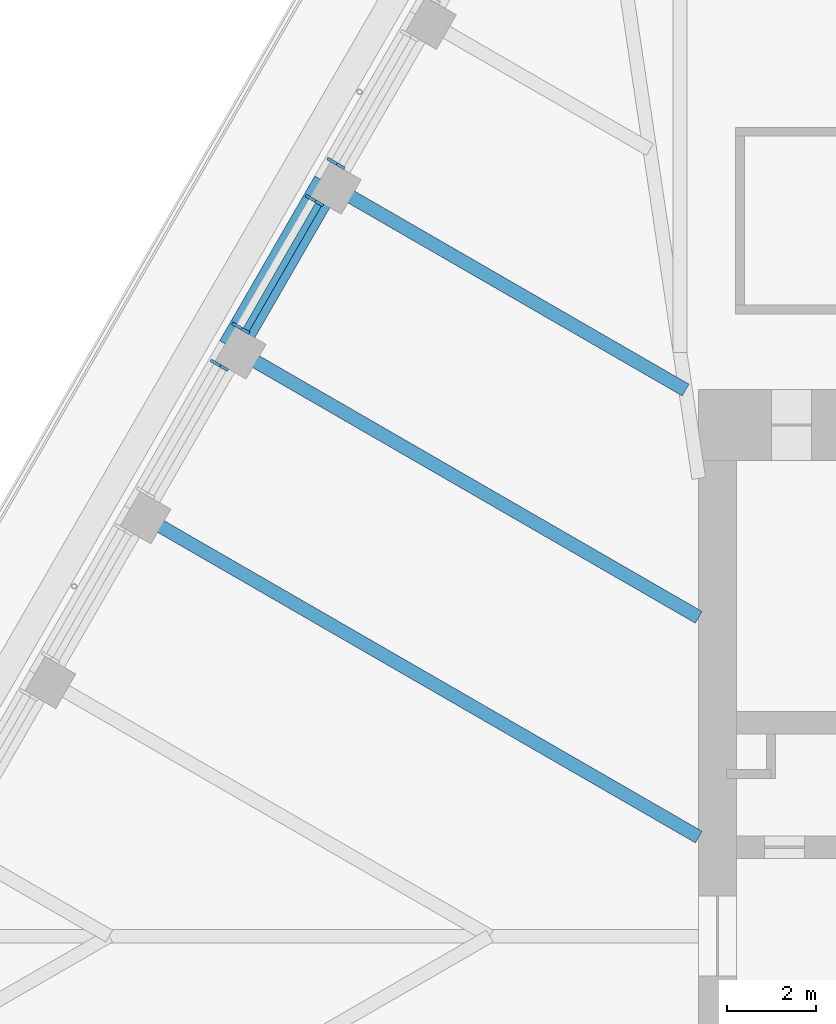
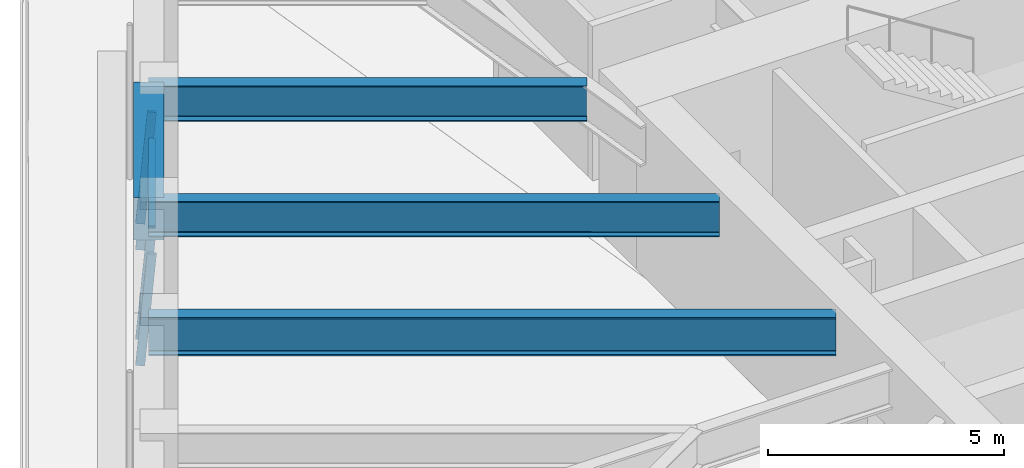
# One storey, part 7 of 19: 5 members, 4 beams, 3 elements without a shape of their own.
"""IFC4 building model written with IfcOpenShell, lengths in metres."""

from ifc_helpers import new_model, si_unit, direction, frame, origin, origin_2d, place, context, subcontext, project, spatial, rectangle, i_section, extrude, material, material_profile, profile_set, type_object, element, aggregate, save


model = new_model("IFC4")

# Units and contexts
model_context = context("Model", 3, precision=1e-05, world=origin(), true_north=direction((0.0, 1.0)))
body_context = subcontext(model_context, "Body", "Model", "MODEL_VIEW")
ifc_project = project(units=[si_unit("LENGTHUNIT", "METRE"), si_unit("AREAUNIT", "SQUARE_METRE"), si_unit("VOLUMEUNIT", "CUBIC_METRE"), si_unit("PLANEANGLEUNIT", "RADIAN"), si_unit("MASSUNIT", "GRAM", prefix="KILO")], contexts=[model_context])

# Site, building, storey
site_placement = place(None, origin())
site = spatial("IfcSite", under=ifc_project, at=site_placement, CompositionType="ELEMENT")
building_placement = place(site_placement, origin())
building = spatial("IfcBuilding", under=site, at=building_placement, Name="Tarfa Lantern Tower", CompositionType="ELEMENT")
storey_placement = place(building_placement, frame((0.0, 0.0, 366.10009765625)))
storey = spatial("IfcBuildingStorey", under=building, at=storey_placement, Name="L83", CompositionType="ELEMENT", Elevation=366.10009765625)

# Curtain wall, member
ifc_material_1 = material(Name="Aluminium framed curtain wall", Category="aluminium")
curtain_wall_type = type_object("IfcCurtainWallType", Name="CW4 CANTED GLAZING EXECUTIVE ZONE 2900", PredefinedType="USERDEFINED", material=ifc_material_1)
curtain_wall_1_placement = place(storey_placement, origin())
curtain_wall_1 = element("IfcCurtainWall", 1, at=curtain_wall_1_placement, inside=storey, type_object=curtain_wall_type, Name="CW4 NW L83", ObjectType="CURTAIN WALL", PredefinedType="USERDEFINED")
ifc_material_2 = material(Name="Aluminium mullion", Category="aluminium")
ifc_material_profile_1 = material_profile(ifc_material_2, rectangle(XDim=0.06494140625, YDim=0.199951171875, at=origin_2d()), Name="AL MULLION 65x200")
ifc_profile_set_1 = profile_set([ifc_material_profile_1], Name="Aluminium mullion")
member_type_1 = type_object("IfcMemberType", Name="CWM1 MULLION 65x200", PredefinedType="MULLION", material=ifc_profile_set_1)
member_1_placement = place(storey_placement, frame((-20.697265625, 17.451171875, 0.0), z_axis=(0.074399820079, -0.042945555672, 0.996303340364), x_axis=(0.499919672301, 0.866071776036, 0.0)))
member_1 = element("IfcMember", 2, at=member_1_placement, type_object=member_type_1, Name="CW4 mullion 2", PredefinedType="MULLION", context=body_context, shape_type="SweptSolid", body=[
    extrude(rectangle(XDim=0.06494140625, YDim=0.199951171875, at=origin_2d()), origin(), (0.0, 0.0, 1.0), 2.91064453125),
])
aggregate(curtain_wall_1, [member_1])

# Curtain wall, members
curtain_wall_2_placement = place(storey_placement, origin())
curtain_wall_2 = element("IfcCurtainWall", 3, at=curtain_wall_2_placement, inside=storey, type_object=curtain_wall_type, Name="CW4 NW L83", ObjectType="CURTAIN WALL", PredefinedType="USERDEFINED")
member_2_placement = place(storey_placement, frame((-21.179931640625, 16.615478515625, 0.0), z_axis=(0.074399820079, -0.042945555672, 0.996303340364), x_axis=(0.499919672301, 0.866071776036, 0.0)))
member_2 = element("IfcMember", 4, at=member_2_placement, type_object=member_type_1, Name="CW4 mullion 1", PredefinedType="MULLION", context=body_context, shape_type="SweptSolid", body=[
    extrude(rectangle(XDim=0.06494140625, YDim=0.199951171875, at=origin_2d()), origin(), (0.0, 0.0, 1.0), 2.91064453125),
])
member_3_placement = place(storey_placement, frame((-22.83837890625, 13.742919921875, 0.0), z_axis=(0.074399820079, -0.042945555672, 0.996303340364), x_axis=(0.499919672301, 0.866071776036, 0.0)))
member_3 = element("IfcMember", 5, at=member_3_placement, type_object=member_type_1, Name="CW4 mullion 2", PredefinedType="MULLION", context=body_context, shape_type="SweptSolid", body=[
    extrude(rectangle(XDim=0.06494140625, YDim=0.199951171875, at=origin_2d()), origin(), (0.0, 0.0, 1.0), 2.91064453125),
])

# Curtain wall, member
curtain_wall_3_placement = place(storey_placement, origin())
curtain_wall_3 = element("IfcCurtainWall", 6, at=curtain_wall_3_placement, inside=storey, type_object=curtain_wall_type, Name="CW4 NW L83", ObjectType="CURTAIN WALL", PredefinedType="USERDEFINED")
member_4_placement = place(storey_placement, frame((-23.32080078125, 12.9072265625, 0.0), z_axis=(0.074399820079, -0.042945555672, 0.996303340364), x_axis=(0.499919672301, 0.866071776036, 0.0)))
member_4 = element("IfcMember", 7, at=member_4_placement, type_object=member_type_1, Name="CW4 mullion 1", PredefinedType="MULLION", context=body_context, shape_type="SweptSolid", body=[
    extrude(rectangle(XDim=0.06494140625, YDim=0.199951171875, at=origin_2d()), origin(), (0.0, 0.0, 1.0), 2.91064453125),
])
aggregate(curtain_wall_3, [member_4])

# Member
ifc_material_3 = material(Name="Aluminium transom", Category="aluminium")
ifc_material_profile_2 = material_profile(ifc_material_3, rectangle(XDim=0.14990234375, YDim=0.06494140625, at=origin_2d()), Name="AL TRANSOM 150x65")
ifc_profile_set_2 = profile_set([ifc_material_profile_2], Name="Aluminium transom")
member_type_2 = type_object("IfcMemberType", Name="CWT1 TRANSOM 150x65", PredefinedType="USERDEFINED", material=ifc_profile_set_2)
member_5_placement = place(storey_placement, frame((-20.98193359375, 16.463623046875, 2.867431640625), z_axis=(-0.500014901547, -0.866016800201, 0.0), x_axis=(0.866016800201, -0.500014901547, 0.0)))
member_5 = element("IfcMember", 8, at=member_5_placement, type_object=member_type_2, Name="CW4 transom 1.2", ObjectType="TRANSOM", PredefinedType="USERDEFINED", context=body_context, shape_type="SweptSolid", body=[
    extrude(rectangle(XDim=0.14990234375, YDim=0.06494140625, at=origin_2d()), origin(), (0.0, 0.0, 1.0), 3.251953125),
])

aggregate(curtain_wall_2, [member_2, member_3, member_5])

# Beams
ifc_material_4 = material(Name="Concrete C80/95", Category="concrete")
ifc_material_profile_3 = material_profile(ifc_material_4, rectangle(XDim=0.64990234375, YDim=1.10009765625, at=origin_2d()), Name="RC 650x1100")
ifc_profile_set_3 = profile_set([ifc_material_profile_3], Name="Concrete C80/95")
beam_type_1 = type_object("IfcBeamType", Name="EB4 RC 650x1100", PredefinedType="SPANDREL", material=ifc_profile_set_3)
beam_1_placement = place(storey_placement, frame((-20.78271484375, 16.943359375, 3.449951171875), z_axis=(-0.499984039138, -0.866034618596, 0.0), x_axis=(0.866034618596, -0.499984039138, 0.0)))
element("IfcBeam", 9, at=beam_1_placement, inside=storey, type_object=beam_type_1, Name="Edge beam NW2", PredefinedType="SPANDREL", context=body_context, shape_type="SweptSolid", body=[
    extrude(rectangle(XDim=0.64990234375, YDim=1.10009765625, at=origin_2d()), origin(), (0.0, 0.0, 1.0), 4.281982421875),
])
ifc_material_5 = material(Name="Steel S460M", Category="steel")
ifc_material_profile_4 = material_profile(ifc_material_5, i_section(OverallWidth=0.302001953125, OverallDepth=1.008056640625, WebThickness=0.02099609375, FlangeThickness=0.0400390625, FilletRadius=0.030029296875, at=origin_2d()), Name="UB1016x305x349")
ifc_profile_set_4 = profile_set([ifc_material_profile_4], Name="Steel S460M")
beam_type_2 = type_object("IfcBeamType", Name="UB1016x305x349", PredefinedType="BEAM", material=ifc_profile_set_4)
beam_2_placement = place(storey_placement, frame((-25.064697265625, 9.526611328125, 3.495849609375), z_axis=(0.866029591389, -0.499992746786, 0.0), x_axis=(0.499992746786, 0.866029591389, 0.0)))
element("IfcBeam", 10, at=beam_2_placement, inside=storey, type_object=beam_type_2, Name="Floor beam NW4", PredefinedType="BEAM", context=body_context, shape_type="SweptSolid", body=[
    extrude(i_section(OverallWidth=0.302001953125, OverallDepth=1.008056640625, WebThickness=0.02099609375, FlangeThickness=0.0400390625, FilletRadius=0.030029296875, at=origin_2d()), origin(), (0.0, 0.0, 1.0), 14.594970703125),
])
ifc_material_profile_5 = material_profile(ifc_material_5, i_section(OverallWidth=0.305419921875, OverallDepth=0.91845703125, WebThickness=0.017333984375, FlangeThickness=0.02783203125, FilletRadius=0.01904296875, at=origin_2d()), Name="UB914x305x253")
ifc_profile_set_5 = profile_set([ifc_material_profile_5], Name="Steel S460M")
beam_type_3 = type_object("IfcBeamType", Name="UB914x305x253", PredefinedType="BEAM", material=ifc_profile_set_5)
beam_3_placement = place(storey_placement, frame((-20.78271484375, 16.943359375, 3.540771484375), z_axis=(0.866021806508, -0.500006230613, 0.0), x_axis=(0.500006230613, 0.866021806508, 0.0)))
element("IfcBeam", 11, at=beam_3_placement, inside=storey, type_object=beam_type_3, Name="Floor beam NW2", PredefinedType="BEAM", context=body_context, shape_type="SweptSolid", body=[
    extrude(i_section(OverallWidth=0.305419921875, OverallDepth=0.91845703125, WebThickness=0.017333984375, FlangeThickness=0.02783203125, FilletRadius=0.01904296875, at=origin_2d()), origin(), (0.0, 0.0, 1.0), 9.30908203125),
])
beam_4_placement = place(storey_placement, frame((-22.923583984375, 13.235107421875, 3.540771484375), z_axis=(0.86601856927, -0.500011837539, 0.0), x_axis=(0.500011837539, 0.86601856927, 0.0)))
element("IfcBeam", 12, at=beam_4_placement, inside=storey, type_object=beam_type_3, Name="Floor beam NW3", PredefinedType="BEAM", context=body_context, shape_type="SweptSolid", body=[
    extrude(i_section(OverallWidth=0.305419921875, OverallDepth=0.91845703125, WebThickness=0.017333984375, FlangeThickness=0.02783203125, FilletRadius=0.01904296875, at=origin_2d()), origin(), (0.0, 0.0, 1.0), 12.122802734375),
])

save(model, "model.ifc")
